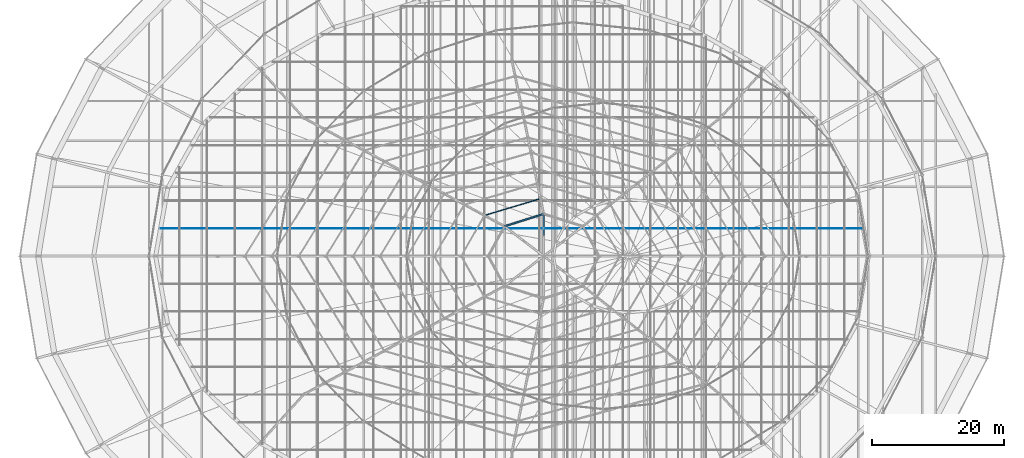
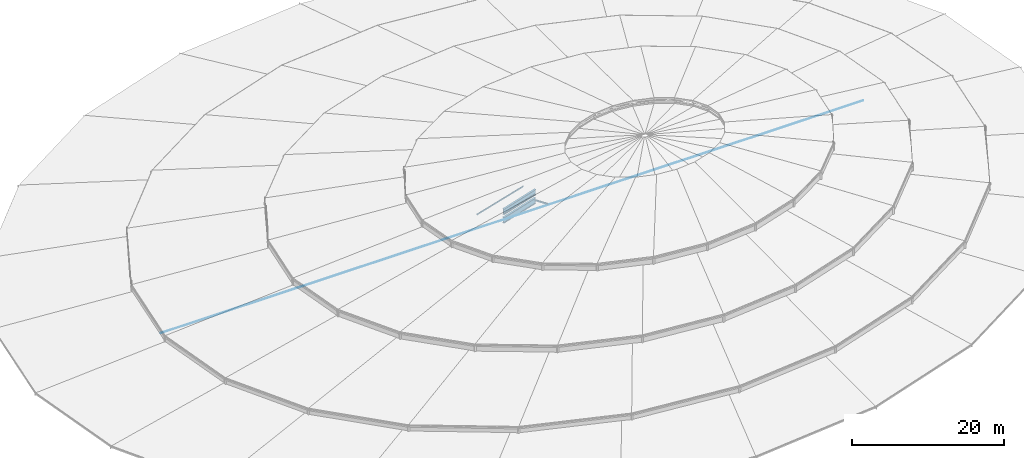
# One storey, part 103 of 184: 4 members, 2 beams.
"""IFC4 building model written with IfcOpenShell, lengths in metres."""

from ifc_helpers import new_model, si_unit, direction, frame, origin, origin_2d, place, context, subcontext, project, spatial, hollow_rectangle, circle, i_section, extrude, material, material_profile, profile_set, type_object, element, save


model = new_model("IFC4")

# Units and contexts
model_context = context("Model", 3, precision=1e-05, world=origin(), true_north=direction((0.0, 1.0)))
body_context = subcontext(model_context, "Body", "Model", "MODEL_VIEW")
ifc_project = project(units=[si_unit("LENGTHUNIT", "METRE"), si_unit("AREAUNIT", "SQUARE_METRE"), si_unit("VOLUMEUNIT", "CUBIC_METRE"), si_unit("PLANEANGLEUNIT", "RADIAN"), si_unit("MASSUNIT", "GRAM", prefix="KILO")], contexts=[model_context])

# Site, building, storey
site_placement = place(None, origin())
site = spatial("IfcSite", under=ifc_project, at=site_placement, CompositionType="ELEMENT")
building_placement = place(site_placement, origin())
building = spatial("IfcBuilding", under=site, at=building_placement, Name="Kalgoora Escarpment Arena", CompositionType="ELEMENT")
storey_placement = place(building_placement, frame((0.0, 0.0, 27.60009765625)))
storey = spatial("IfcBuildingStorey", under=building, at=storey_placement, Name="Roof Level", CompositionType="ELEMENT", Elevation=27.60009765625)

# Beams
ifc_material_1 = material(Name="Structural steel Grade 350 (350 MPa)", Category="steel")
ifc_material_profile_1 = material_profile(ifc_material_1, i_section(OverallWidth=0.300048828125, OverallDepth=0.909912109375, WebThickness=0.011962890625, FlangeThickness=0.028076171875, at=origin_2d()))
ifc_profile_set_1 = profile_set([ifc_material_profile_1], Name="Structural steel Grade 350 (350 MPa)")
beam_type = type_object("IfcBeamType", Name="BM-HUB-RING", PredefinedType="USERDEFINED", material=ifc_profile_set_1)
for number, where, z_axis, x_axis, name in (
    (1, (97.199951171875, 70.39990234375, -1.60009765625), (-0.953637150893, -0.300958775312, 0.0), (0.300958775312, -0.953637150893, 0.0), "Central ROOF TRUSS hub bottom ring 3"),
    (2, (97.199951171875, 70.39990234375, -0.25), (-0.953637150893, -0.300958775312, 0.0), (0.300958775312, -0.953637150893, 0.0), "Central ROOF TRUSS hub top ring 3"),
):
    element("IfcBeam", number, at=place(storey_placement, frame(where, z_axis=z_axis, x_axis=x_axis)), inside=storey, type_object=beam_type, Name=name, ObjectType="GIRDER", PredefinedType="USERDEFINED", context=body_context, shape_type="SweptSolid", body=[
        extrude(i_section(OverallWidth=0.300048828125, OverallDepth=0.909912109375, WebThickness=0.011962890625, FlangeThickness=0.028076171875, at=origin_2d()), origin(), (0.0, 0.0, 1.0), 6.228515625),
    ])

# Members
ifc_material_2 = material(Name="High-tensile spiral strand steel Grade 450 (350 MPa)", Category="steel")
ifc_material_profile_2 = material_profile(ifc_material_2, circle(Radius=0.0439453125, at=origin_2d()))
ifc_profile_set_2 = profile_set([ifc_material_profile_2], Name="High-tensile spiral strand steel Grade 450 (350 MPa)")
member_type_1 = type_object("IfcMemberType", Name="MEM-CABLE-88", PredefinedType="USERDEFINED", material=ifc_profile_set_2)
member_1_placement = place(storey_placement, frame((39.146484375, 68.199951171875, -1.25), z_axis=(1.0, 0.0, 0.0), x_axis=(0.0, 1.0, 0.0)))
element("IfcMember", 3, at=member_1_placement, inside=storey, type_object=member_type_1, Name="Roof saddle hanging cable X-10", ObjectType="CABLE", PredefinedType="USERDEFINED", context=body_context, shape_type="SweptSolid", body=[
    extrude(circle(Radius=0.0439453125, at=origin_2d()), origin(), (0.0, 0.0, 1.0), 106.507080078125),
])
ifc_material_3 = material(Name="Structural steel C350 (350 MPa)", Category="steel")
ifc_material_profile_3 = material_profile(ifc_material_3, hollow_rectangle(XDim=0.10009765625, YDim=0.199951171875, WallThickness=0.009033203125, at=origin_2d()))
ifc_profile_set_3 = profile_set([ifc_material_profile_3], Name="Structural steel C350 (350 MPa)")
member_type_2 = type_object("IfcMemberType", Name="MEM-PURLIN-RHS", PredefinedType="PURLIN", material=ifc_profile_set_3)
member_2_placement = place(storey_placement, frame((96.719970703125, 72.719970703125, -0.610107421875), z_axis=(-0.957696715528, -0.28777943128, 0.0), x_axis=(0.28777943128, -0.957696715528, 0.0)))
element("IfcMember", 4, at=member_2_placement, inside=storey, type_object=member_type_2, Name="Roof circumferential purlin ring 10 sector 3", PredefinedType="PURLIN", context=body_context, shape_type="SweptSolid", body=[
    extrude(hollow_rectangle(XDim=0.10009765625, YDim=0.199951171875, WallThickness=0.009033203125, at=origin_2d()), origin(), (0.0, 0.0, 1.0), 8.874755859375),
])
member_3_placement = place(storey_placement, frame((97.199951171875, 70.39990234375, -0.60009765625), z_axis=(-0.953637150893, -0.300958775312, 0.0), x_axis=(0.300958775312, -0.953637150893, 0.0)))
element("IfcMember", 5, at=member_3_placement, inside=storey, type_object=member_type_2, Name="Roof circumferential purlin ring 11 sector 3", PredefinedType="PURLIN", context=body_context, shape_type="SweptSolid", body=[
    extrude(hollow_rectangle(XDim=0.10009765625, YDim=0.199951171875, WallThickness=0.009033203125, at=origin_2d()), origin(), (0.0, 0.0, 1.0), 6.228515625),
])
ifc_material_4 = material(Name="Structural steel C350 (350 MPa)", Category="steel")
ifc_material_profile_4 = material_profile(ifc_material_4, hollow_rectangle(XDim=0.199951171875, YDim=0.199951171875, WallThickness=0.009033203125, at=origin_2d()))
ifc_profile_set_4 = profile_set([ifc_material_profile_4], Name="Structural steel C350 (350 MPa)")
member_type_3 = type_object("IfcMemberType", Name="MEM-TRUSS-DIAG", PredefinedType="BRACE", material=ifc_profile_set_4)
member_4_placement = place(storey_placement, frame((97.199951171875, 70.39990234375, -1.60009765625), z_axis=(0.0, -0.921351966387, 0.38872940979), x_axis=(1.0, 0.0, 0.0)))
element("IfcMember", 6, at=member_4_placement, inside=storey, type_object=member_type_3, Name="Central ROOF TRUSS hub web diagonal 3-1", PredefinedType="BRACE", context=body_context, shape_type="SweptSolid", body=[
    extrude(hollow_rectangle(XDim=0.199951171875, YDim=0.199951171875, WallThickness=0.009033203125, at=origin_2d()), origin(), (0.0, 0.0, 1.0), 3.47314453125),
])

save(model, "model.ifc")
